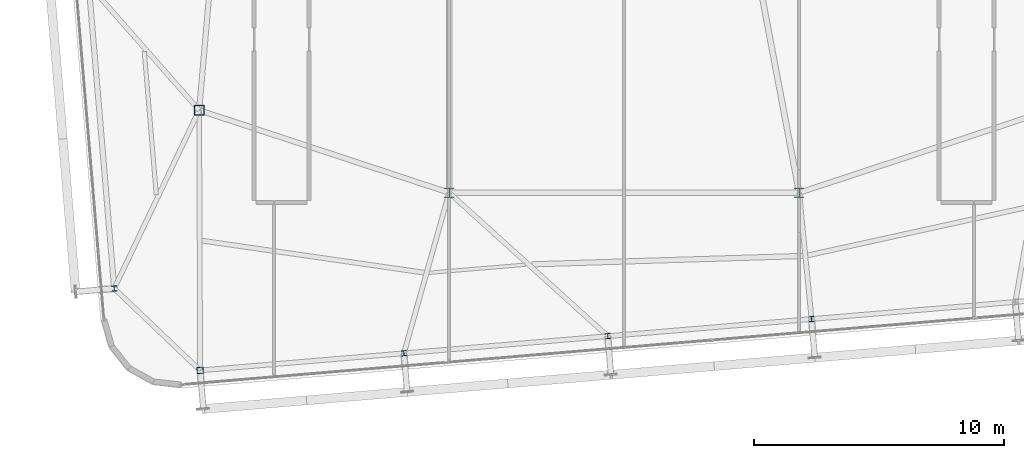
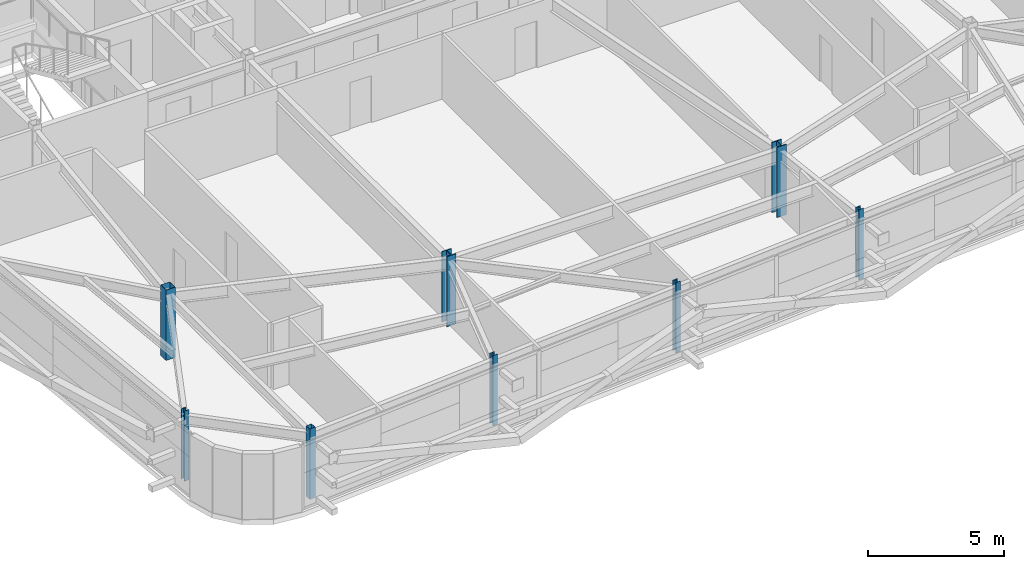
# One storey, part 1 of 37: 8 columns.
"""IFC4 building model written with IfcOpenShell, lengths in metres."""

import ifcopenshell
import ifcopenshell.guid

model = None  # the IFC model being written
_history = None  # IfcOwnerHistory: only IFC2X3 demands one
_inside = {}  # id of a spatial element -> (the spatial element, [elements in it])
_under = {}  # id of a project, library or spatial element -> (it, [spatial elements below it])
_declared = {}  # id of a project -> (the project, [libraries it declares])
_typed = {}  # id of a type object -> (the type object, [elements of that type])
_made_of = {}  # id of a material, layer set ... -> (it, [elements and type objects made of it])


def new_model(schema):
    """Start an empty IFC model of exactly this schema.

    Asked for "IFC4X3", IfcOpenShell would pick the latest addendum, in which some entities
    have other attributes; the version numbers below select the first issue.
    IFC2X3 requires an IfcOwnerHistory on every rooted entity: one is made here for all.
    """
    global model, _history
    if schema == "IFC4X3":
        model = ifcopenshell.file(schema_version=(4, 3, 0, 0))
    else:
        model = ifcopenshell.file(schema=schema)
    _inside.clear()
    _under.clear()
    _declared.clear()
    _typed.clear()
    _made_of.clear()
    _history = None
    if model.schema == "IFC2X3":
        org = make("IfcOrganization", Name="unknown")
        user = make(
            "IfcPersonAndOrganization",
            ThePerson=make("IfcPerson", FamilyName="unknown"),
            TheOrganization=org,
        )
        app = make(
            "IfcApplication",
            ApplicationDeveloper=org,
            Version="unknown",
            ApplicationFullName="unknown",
            ApplicationIdentifier="unknown",
        )
        _history = make(
            "IfcOwnerHistory",
            OwningUser=user,
            OwningApplication=app,
            ChangeAction="ADDED",
            CreationDate=0,
        )
    return model


def make(cls, **values):
    """One entity of the class cls with the attributes given. An attribute that is None is left unset."""
    return model.create_entity(
        cls, **{name: value for name, value in values.items() if value is not None}
    )


def rooted(cls, **values):
    """An entity with a GlobalId (a new one), such as an element, a storey or a relation."""
    return make(cls, GlobalId=ifcopenshell.guid.new(), OwnerHistory=_history, **values)


def si_unit(unit_type, name, prefix=None):
    """IfcSIUnit, for example si_unit("LENGTHUNIT", "METRE", prefix="MILLI")."""
    return make("IfcSIUnit", UnitType=unit_type, Prefix=prefix, Name=name)


def assignment(units):
    """IfcUnitAssignment: the units of a project."""
    return None if units is None else make("IfcUnitAssignment", Units=units)


def point(xyz):
    """IfcCartesianPoint."""
    return None if xyz is None else make("IfcCartesianPoint", Coordinates=xyz)


def direction(xyz):
    """IfcDirection."""
    return None if xyz is None else make("IfcDirection", DirectionRatios=xyz)


def frame(location, z_axis=None, x_axis=None):
    """IfcAxis2Placement3D, a coordinate frame: its origin and axes. An axis left out is left unset."""
    return make(
        "IfcAxis2Placement3D",
        Location=point(location),
        Axis=direction(z_axis),
        RefDirection=direction(x_axis),
    )


def frame_2d(location, x_axis=None):
    """IfcAxis2Placement2D, a coordinate frame in the plane: its origin and x axis."""
    return make(
        "IfcAxis2Placement2D", Location=point(location), RefDirection=direction(x_axis)
    )


def origin():
    """The frame at (0, 0, 0) with its axes left unset."""
    return frame((0.0, 0.0, 0.0))


def origin_2d():
    """The frame at (0, 0) in the plane with its x axis left unset."""
    return frame_2d((0.0, 0.0))


def place(relative_to, where):
    """IfcLocalPlacement: puts the frame where relative to a parent placement (None: the world)."""
    return make(
        "IfcLocalPlacement", PlacementRelTo=relative_to, RelativePlacement=where
    )


def context(
    kind, dimensions, precision=None, world=None, true_north=None, identifier=None
):
    """IfcGeometricRepresentationContext, for example the 3D "Model" context."""
    return make(
        "IfcGeometricRepresentationContext",
        ContextIdentifier=identifier,
        ContextType=kind,
        CoordinateSpaceDimension=dimensions,
        Precision=precision,
        WorldCoordinateSystem=world,
        TrueNorth=true_north,
    )


def subcontext(parent, identifier, kind, view, scale=None):
    """IfcGeometricRepresentationSubContext, for example "Body" below "Model"."""
    return make(
        "IfcGeometricRepresentationSubContext",
        ContextIdentifier=identifier,
        ContextType=kind,
        ParentContext=parent,
        TargetScale=scale,
        TargetView=view,
    )


def project(units=None, contexts=None):
    """IfcProject with its units and contexts."""
    return rooted(
        "IfcProject",
        Name="project",
        RepresentationContexts=contexts,
        UnitsInContext=assignment(units),
    )


def spatial(cls, under=None, at=None, **own):
    """A site, building, storey or space (cls), placed at a placement, below another one or the project."""
    s = rooted(cls, ObjectPlacement=at, **own)
    if under is not None:
        _under.setdefault(under.id(), (under, []))[1].append(s)
    return s


def profile(cls, at=None, kind="AREA", **sizes):
    """A parametric profile (cls). Its sizes go by their IFC names, for example OverallWidth=200.0."""
    return make(cls, ProfileType=kind, Position=at, **sizes)


def hollow_rectangle(**sizes):
    """IfcRectangleHollowProfileDef."""
    return profile("IfcRectangleHollowProfileDef", **sizes)


def i_section(**sizes):
    """IfcIShapeProfileDef."""
    return profile("IfcIShapeProfileDef", **sizes)


def extrude(swept, where, along, depth):
    """IfcExtrudedAreaSolid: the profile swept, set in the frame where, extruded along a direction by depth."""
    return make(
        "IfcExtrudedAreaSolid",
        SweptArea=swept,
        Position=where,
        ExtrudedDirection=direction(along),
        Depth=depth,
    )


def shape(context_of_items, identifier, shape_type, items):
    """IfcShapeRepresentation: the items that make up one representation, for example the "Body"."""
    return make(
        "IfcShapeRepresentation",
        ContextOfItems=context_of_items,
        RepresentationIdentifier=identifier,
        RepresentationType=shape_type,
        Items=items,
    )


def source(mapping_origin, context_of_items, identifier, shape_type, items):
    """IfcRepresentationMap: a shape defined once, which mapped items show again and again."""
    return make(
        "IfcRepresentationMap",
        MappingOrigin=mapping_origin,
        MappedRepresentation=shape(context_of_items, identifier, shape_type, items),
    )


def transform(
    local_origin,
    x_axis=None,
    y_axis=None,
    z_axis=None,
    scale=None,
    scale2=None,
    scale3=None,
    uniform=True,
):
    """IfcCartesianTransformationOperator3D, or its non-uniform kind. x_axis, y_axis, z_axis: its Axis1, 2, 3."""
    if uniform:
        return make(
            "IfcCartesianTransformationOperator3D",
            Axis1=direction(x_axis),
            Axis2=direction(y_axis),
            LocalOrigin=point(local_origin),
            Scale=scale,
            Axis3=direction(z_axis),
        )
    return make(
        "IfcCartesianTransformationOperator3DnonUniform",
        Axis1=direction(x_axis),
        Axis2=direction(y_axis),
        LocalOrigin=point(local_origin),
        Scale=scale,
        Axis3=direction(z_axis),
        Scale2=scale2,
        Scale3=scale3,
    )


def mapped(mapping_source, mapping_target):
    """IfcMappedItem: shows the shape of a source again, moved by a transform."""
    return make(
        "IfcMappedItem", MappingSource=mapping_source, MappingTarget=mapping_target
    )


def material(Name=None, Category=None):
    """IfcMaterial."""
    return make("IfcMaterial", Name=Name, Category=Category)


def material_profile(
    of_material, cross_section, Name=None, Category=None, Priority=None
):
    """IfcMaterialProfile: a cross section and its material."""
    return make(
        "IfcMaterialProfile",
        Name=Name,
        Material=of_material,
        Profile=cross_section,
        Priority=Priority,
        Category=Category,
    )


def profile_set(profiles, Name=None, composite=None):
    """IfcMaterialProfileSet."""
    return make(
        "IfcMaterialProfileSet",
        Name=Name,
        MaterialProfiles=profiles,
        CompositeProfile=composite,
    )


def made_of(thing, what):
    """Note that an element or type object is made of a material, layer set ...; save() writes the relation."""
    if what is not None:
        _made_of.setdefault(what.id(), (what, []))[1].append(thing)
    return thing


def type_object(cls, material=None, **own):
    """A type object (cls), such as IfcWallType, which elements share."""
    return made_of(rooted(cls, **own), material)


def element(
    cls,
    number,
    at=None,
    inside=None,
    cuts=None,
    type_object=None,
    material=None,
    context=None,
    identifier="Body",
    shape_type=None,
    held_by="IfcProductDefinitionShape",
    body=None,
    shapes=None,
    **own,
):
    """One element of the class cls, such as IfcWall. Its Tag is "e" and its number.

    at: its placement. inside: the storey or other place that contains it. cuts: it is an
    opening in that element (IfcRelVoidsElement). A single representation is given by context,
    identifier, shape_type and body (its items); several are given by shapes. held_by: the class
    of the entity that holds the representations. save() writes the other relations.
    """
    e = rooted(cls, Tag="e%d" % number, ObjectPlacement=at, **own)
    if body is not None:
        shapes = [shape(context, identifier, shape_type, body)]
    if shapes is not None:
        e.Representation = make(held_by, Representations=shapes)
    if inside is not None:
        _inside.setdefault(inside.id(), (inside, []))[1].append(e)
    if cuts is not None:
        rooted(
            "IfcRelVoidsElement", RelatingBuildingElement=cuts, RelatedOpeningElement=e
        )
    if type_object is not None:
        _typed.setdefault(type_object.id(), (type_object, []))[1].append(e)
    return made_of(e, material)


def aggregate(whole, parts):
    """IfcRelAggregates: a whole, such as a stair, and the parts it consists of."""
    return rooted("IfcRelAggregates", RelatingObject=whole, RelatedObjects=parts)


def save(model, path):
    """Write the relations noted so far, then the file.

    IfcRelAggregates (storeys below a building ...), IfcRelContainedInSpatialStructure (elements
    in a storey), IfcRelDefinesByType, IfcRelAssociatesMaterial and IfcRelDeclares: one each for
    every whole, place, type object, material and project.
    """
    for whole, parts in _under.values():
        aggregate(whole, parts)
    for where, things in _inside.values():
        rooted(
            "IfcRelContainedInSpatialStructure",
            RelatedElements=things,
            RelatingStructure=where,
        )
    for kind, things in _typed.values():
        rooted("IfcRelDefinesByType", RelatedObjects=things, RelatingType=kind)
    for what, things in _made_of.values():
        rooted("IfcRelAssociatesMaterial", RelatedObjects=things, RelatingMaterial=what)
    for by, libraries in _declared.values():
        rooted("IfcRelDeclares", RelatingContext=by, RelatedDefinitions=libraries)
    model.write(path)


model = new_model("IFC4")

# Units and contexts
model_context = context("Model", 3, precision=1e-05, world=origin(), true_north=direction((0.0, 1.0)))
body_context = subcontext(model_context, "Body", "Model", "MODEL_VIEW")
ifc_project = project(units=[si_unit("LENGTHUNIT", "METRE"), si_unit("AREAUNIT", "SQUARE_METRE"), si_unit("VOLUMEUNIT", "CUBIC_METRE"), si_unit("PLANEANGLEUNIT", "RADIAN"), si_unit("MASSUNIT", "GRAM", prefix="KILO")], contexts=[model_context])

# Site, building, storey
site_placement = place(None, origin())
site = spatial("IfcSite", under=ifc_project, at=site_placement, CompositionType="ELEMENT")
building_placement = place(site_placement, origin())
building = spatial("IfcBuilding", under=site, at=building_placement, Name="Taldren Reach Tower", CompositionType="ELEMENT")
storey_placement = place(building_placement, frame((0.0, 0.0, 182.0)))
storey = spatial("IfcBuildingStorey", under=building, at=storey_placement, Name="L55", CompositionType="ELEMENT", Elevation=182.0)

# Columns
ifc_material_1 = material(Name="Steel Gr 350 (350PLUS)", Category="steel")
ifc_material_profile_1 = material_profile(ifc_material_1, i_section(OverallWidth=0.39990234375, OverallDepth=0.39599609375, WebThickness=0.02197265625, FlangeThickness=0.033935546875, at=origin_2d()), Name="400WC270")
ifc_profile_set_1 = profile_set([ifc_material_profile_1], Name="Steel Gr 350 (350PLUS)")
column_type_1 = type_object("IfcColumnType", Name="COL-WC400", PredefinedType="COLUMN", material=ifc_profile_set_1)
shared_shape_1 = source(origin(), body_context, "Body", "SweptSolid", [
    extrude(i_section(OverallWidth=0.39990234375, OverallDepth=0.39599609375, WebThickness=0.02197265625, FlangeThickness=0.033935546875, at=origin_2d()), origin(), (0.0, 0.0, 1.0), 3.14990234375),
])
for number, where, z_axis, x_axis, name in (
    (1, (28.0, 9.199951171875, 0.0), (0.0, 0.0, 1.0), (1.0, 0.0, 0.0), "Mega column MC-PJW L55"),
    (2, (42.0, 9.199951171875, 0.0), (0.0, 0.0, 1.0), (1.0, 0.0, 0.0), "Mega column MC-PJE L55"),
):
    element("IfcColumn", number, at=place(storey_placement, frame(where, z_axis=z_axis, x_axis=x_axis)), inside=storey, type_object=column_type_1, Name=name, PredefinedType="COLUMN", context=body_context, shape_type="MappedRepresentation", body=[
        mapped(shared_shape_1, transform((0.0, 0.0, 0.0), scale=1.0)),
    ])
ifc_material_2 = material(Name="Steel Gr 450 (C450L0)", Category="steel")
ifc_material_profile_2 = material_profile(ifc_material_2, hollow_rectangle(XDim=0.39990234375, YDim=0.39990234375, WallThickness=0.01611328125, at=origin_2d()), Name="400x400x16.0SHS")
ifc_profile_set_2 = profile_set([ifc_material_profile_2], Name="Steel Gr 450 (C450L0)")
column_type_2 = type_object("IfcColumnType", Name="COL-SHS400", PredefinedType="COLUMN", material=ifc_profile_set_2)
shared_shape_2 = source(origin(), body_context, "Body", "SweptSolid", [
    extrude(hollow_rectangle(XDim=0.39990234375, YDim=0.39990234375, WallThickness=0.01611328125, at=origin_2d()), origin(), (0.0, 0.0, 1.0), 3.14990234375),
])
column_1_placement = place(storey_placement, frame((18.0, 12.5, 0.0), z_axis=(0.0, 0.0, 1.0), x_axis=(1.0, 0.0, 0.0)))
element("IfcColumn", 3, at=column_1_placement, inside=storey, type_object=column_type_2, Name="Mega column MC-SW L55", PredefinedType="COLUMN", context=body_context, shape_type="MappedRepresentation", body=[
    mapped(shared_shape_2, transform((0.0, 0.0, 0.0), scale=1.0)),
])
ifc_material_3 = material(Name="Steel Gr 350 (C350L0)", Category="steel")
ifc_material_profile_3 = material_profile(ifc_material_3, hollow_rectangle(XDim=0.25, YDim=0.25, WallThickness=0.010009765625, at=origin_2d()), Name="250x250x10.0SHS")
ifc_profile_set_3 = profile_set([ifc_material_profile_3], Name="Steel Gr 350 (C350L0)")
column_type_3 = type_object("IfcColumnType", Name="COL-SHS250", PredefinedType="COLUMN", material=ifc_profile_set_3)
shared_shape_3 = source(origin(), body_context, "Body", "SweptSolid", [
    extrude(hollow_rectangle(XDim=0.25, YDim=0.25, WallThickness=0.010009765625, at=origin_2d()), origin(), (0.0, 0.0, 1.0), 3.14990234375),
])
column_2_placement = place(storey_placement, frame((18.03955078125, 2.093994140625, 0.0), z_axis=(0.0, 0.0, 1.0), x_axis=(0.99649285925, 0.083677843332, 0.0)))
element("IfcColumn", 4, at=column_2_placement, inside=storey, type_object=column_type_3, Name="Block B4 perimeter column S1 L55", PredefinedType="COLUMN", context=body_context, shape_type="MappedRepresentation", body=[
    mapped(shared_shape_3, transform((0.0, 0.0, 0.0), scale=1.0)),
])
ifc_material_profile_4 = material_profile(ifc_material_1, i_section(OverallWidth=0.205078125, OverallDepth=0.2099609375, WebThickness=0.00927734375, FlangeThickness=0.01416015625, at=origin_2d()), Name="200UC59.5")
ifc_profile_set_4 = profile_set([ifc_material_profile_4], Name="Steel Gr 350 (350PLUS)")
column_type_4 = type_object("IfcColumnType", Name="COL-UC200", PredefinedType="COLUMN", material=ifc_profile_set_4)
shared_shape_4 = source(origin(), body_context, "Body", "SweptSolid", [
    extrude(i_section(OverallWidth=0.205078125, OverallDepth=0.2099609375, WebThickness=0.00927734375, FlangeThickness=0.01416015625, at=origin_2d()), origin(), (0.0, 0.0, 1.0), 3.14990234375),
])
for number, where, z_axis, x_axis, name in (
    (5, (26.19091796875, 2.778564453125, 0.0), (0.0, 0.0, 1.0), (0.99649285925, 0.083677843332, 0.0), "Block B4 perimeter column S2 L55"),
    (6, (34.34228515625, 3.462890625, 0.0), (0.0, 0.0, 1.0), (0.99649285925, 0.083677843332, 0.0), "Block B4 perimeter column S3 L55"),
    (7, (42.49365234375, 4.1474609375, 0.0), (0.0, 0.0, 1.0), (0.99649285925, 0.083677843332, 0.0), "Block B4 perimeter column S4 L55"),
    (8, (14.603759765625, 5.367919921875, 0.0), (0.0, 0.0, 1.0), (0.99649285925, 0.083677843332, 0.0), "Block B4 perimeter column W1 L55"),
):
    element("IfcColumn", number, at=place(storey_placement, frame(where, z_axis=z_axis, x_axis=x_axis)), inside=storey, type_object=column_type_4, Name=name, PredefinedType="COLUMN", context=body_context, shape_type="MappedRepresentation", body=[
        mapped(shared_shape_4, transform((0.0, 0.0, 0.0), scale=1.0)),
    ])

save(model, "model.ifc")
